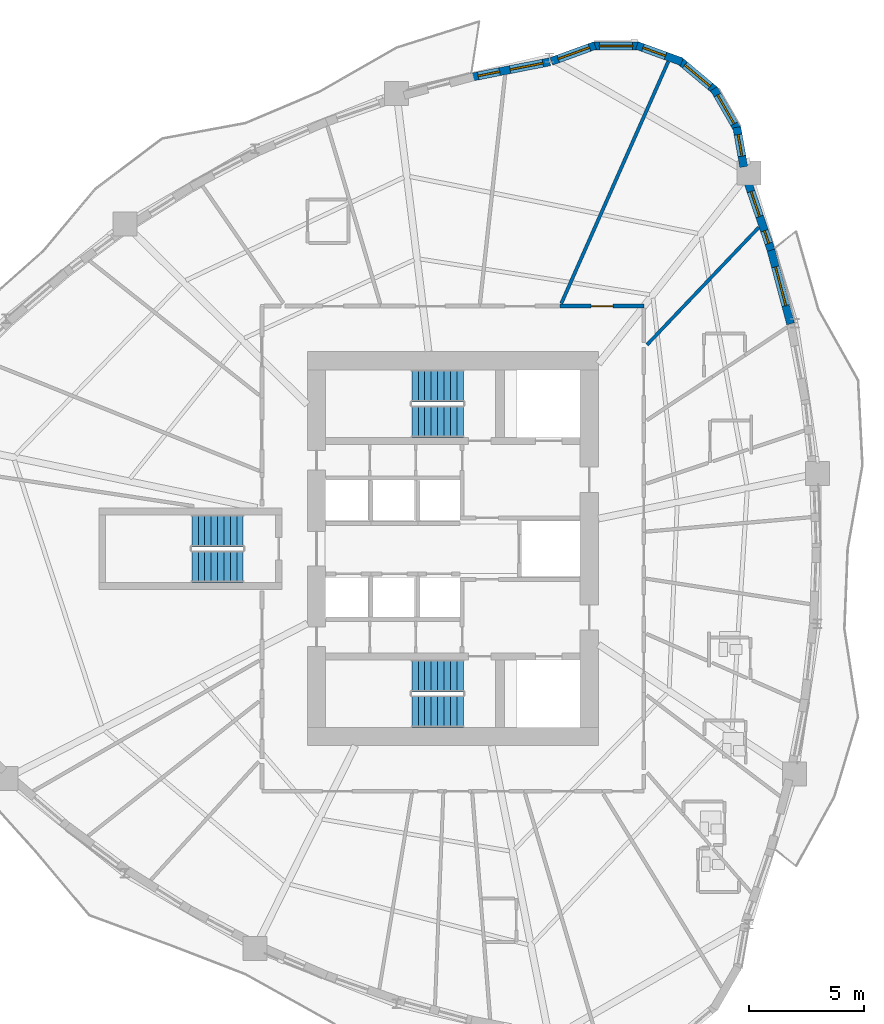
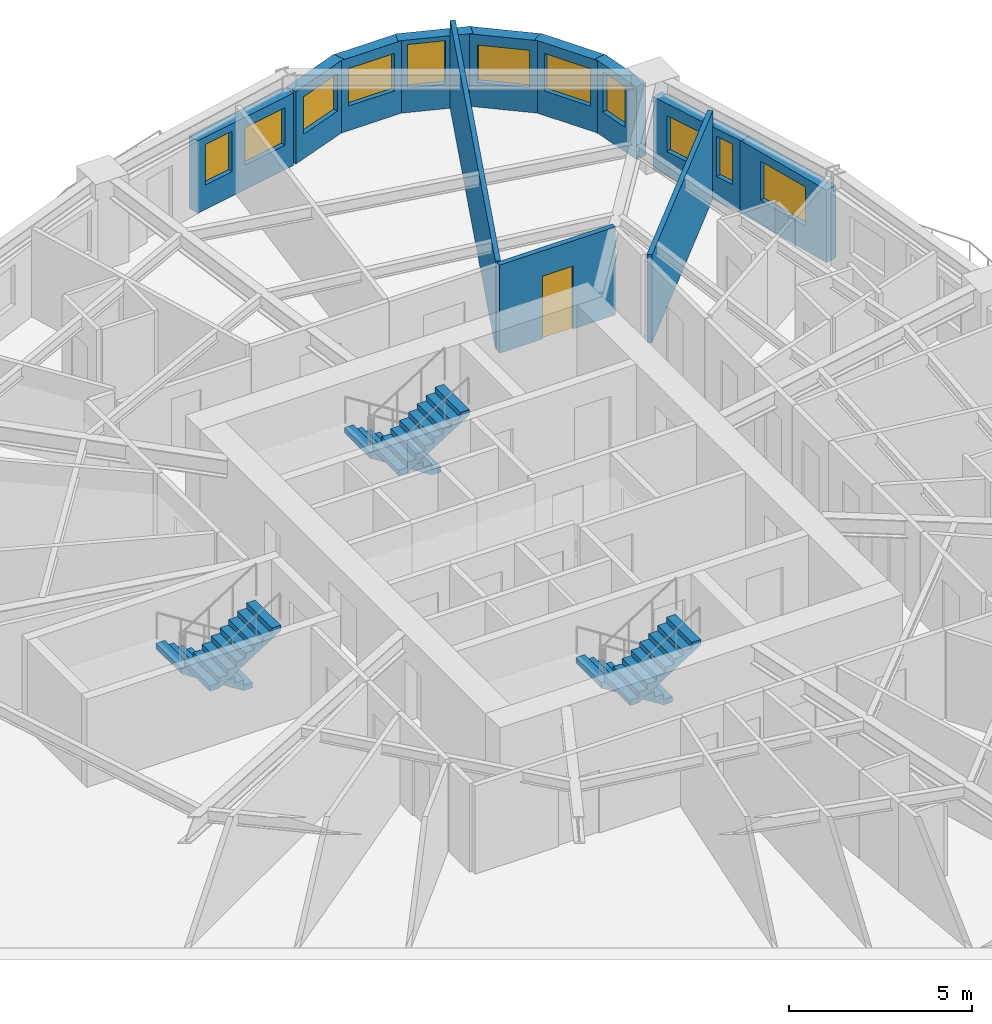
# One storey, part 9 of 13: 12 walls, 11 windows, 6 stair flights, 1 door, 12 openings, 3 elements without a shape of their own.
"""IFC4 building model written with IfcOpenShell, lengths in metres."""

from ifc_helpers import new_model, si_unit, direction, frame, frame_2d, origin, place, context, subcontext, project, spatial, polyline, rectangle, outline, extrude, source, transform, mapped, material, layer, layer_set, type_object, element, fill, aggregate, save


model = new_model("IFC4")

# Units and contexts
model_context = context("Model", 3, precision=1e-05, world=origin(), true_north=direction((0.0, 1.0)))
body_context = subcontext(model_context, "Body", "Model", "MODEL_VIEW")
ifc_project = project(units=[si_unit("LENGTHUNIT", "METRE"), si_unit("AREAUNIT", "SQUARE_METRE"), si_unit("VOLUMEUNIT", "CUBIC_METRE"), si_unit("PLANEANGLEUNIT", "RADIAN"), si_unit("MASSUNIT", "GRAM", prefix="KILO")], contexts=[model_context])

# Site, building, storey
site_placement = place(None, origin())
site = spatial("IfcSite", under=ifc_project, at=site_placement, CompositionType="ELEMENT")
building_placement = place(site_placement, origin())
building = spatial("IfcBuilding", under=site, at=building_placement, Name="Qafzar Sky-Pleat Residences", CompositionType="ELEMENT")
storey_placement = place(building_placement, frame((0.0, 0.0, 59.0)))
storey = spatial("IfcBuildingStorey", under=building, at=storey_placement, Name="L17", CompositionType="ELEMENT", Elevation=59.0)

# Wall, opening, door
ifc_material_1 = material(Name="Acoustic gypsum plasterboard partition", Category="gypsum")
ifc_layer_1 = layer(ifc_material_1, 0.159912109375)
ifc_layer_set_1 = layer_set([ifc_layer_1], Name="Acoustic gypsum plasterboard partition")
wall_type_1 = type_object("IfcWallType", Name="PART-COR-160", PredefinedType="PARTITIONING", material=ifc_layer_set_1)
wall_1_placement = place(storey_placement, frame((35.010986328125, 36.580078125, 0.0), z_axis=(0.0, 0.0, 1.0), x_axis=(1.0, 0.0, 0.0)))
wall_1 = element("IfcWall", 1, at=wall_1_placement, inside=storey, type_object=wall_type_1, Name="L17 Partition Wall PART-L17-PW-005", PredefinedType="PARTITIONING", context=body_context, shape_type="SweptSolid", body=[
    extrude(rectangle(XDim=3.6689453125, YDim=0.159912109375, at=frame_2d((1.83447265625, 0.0))), origin(), (0.0, 0.0, 1.0), 2.93994140625),
])
opening_1_placement = place(wall_1_placement, frame((1.362548828125, 0.0, 0.0)))
opening_1 = element("IfcOpeningElement", 2, at=opening_1_placement, cuts=wall_1, Name="Opening ID-06", PredefinedType="OPENING", context=body_context, shape_type="SweptSolid", body=[
    extrude(rectangle(XDim=0.9599609375, YDim=2.10009765625, at=frame_2d((0.47998046875, 1.050048828125))), frame((0.0, 0.08984375, 0.0), z_axis=(0.0, -1.0, 0.0), x_axis=(1.0, 0.0, 0.0)), (0.0, 0.0, 1.0), 0.179931640625),
])
ifc_material_2 = material(Name="Timber-faced fire door", Category="wood")
door_type = type_object("IfcDoorType", Name="DR-STD-960", OperationType="NOTDEFINED", PredefinedType="DOOR", material=ifc_material_2)
shared_shape_1 = source(origin(), body_context, "Body", "SweptSolid", [
    extrude(rectangle(XDim=0.9599609375, YDim=2.10009765625, at=frame_2d((0.47998046875, 1.050048828125))), frame((0.0, 0.02490234375, 0.0), z_axis=(0.0, -1.0, 0.0), x_axis=(1.0, 0.0, 0.0)), (0.0, 0.0, 1.0), 0.050048828125),
])
door_placement = place(opening_1_placement, origin())
door = element("IfcDoor", 3, at=door_placement, inside=storey, type_object=door_type, Name="L17 Scholar Co-Working Workspace Door", OperationType="SINGLE_SWING_RIGHT", OverallHeight=2.10009765625, OverallWidth=0.9599609375, PredefinedType="DOOR", context=body_context, shape_type="MappedRepresentation", body=[
    mapped(shared_shape_1, transform((0.0, 0.0, 0.0), x_axis=(1.0, 0.0, 0.0), y_axis=(0.0, 1.0, 0.0), z_axis=(0.0, 0.0, 1.0), scale=1.0)),
])
fill(opening_1, door)

# Walls
ifc_layer_2 = layer(ifc_material_1, 0.14501953125)
ifc_layer_set_2 = layer_set([ifc_layer_2], Name="Acoustic gypsum plasterboard partition")
wall_type_2 = type_object("IfcWallType", Name="PART-UNIT-145", PredefinedType="PARTITIONING", material=ifc_layer_set_2)
wall_2_placement = place(storey_placement, frame((35.07861328125, 36.696533203125, 0.0), z_axis=(0.0, 0.0, 1.0), x_axis=(0.404349483928, 0.914604556542, 0.0)))
element("IfcWall", 4, at=wall_2_placement, inside=storey, type_object=wall_type_2, Name="L17 Partition Wall PART-L17-PW-034", PredefinedType="PARTITIONING", context=body_context, shape_type="SweptSolid", body=[
    extrude(rectangle(XDim=11.540283203125, YDim=0.14501953125, at=frame_2d((5.77001953125, 0.0))), origin(), (0.0, 0.0, 1.0), 2.93994140625),
])
wall_3_placement = place(storey_placement, frame((38.818115234375, 34.892822265625, 0.0), z_axis=(0.0, 0.0, 1.0), x_axis=(0.68961378572, 0.724177344678, 0.0)))
element("IfcWall", 5, at=wall_3_placement, inside=storey, type_object=wall_type_2, Name="L17 Partition Wall PART-L17-PW-046", PredefinedType="PARTITIONING", context=body_context, shape_type="SweptSolid", body=[
    extrude(rectangle(XDim=7.070556640625, YDim=0.14501953125, at=frame_2d((3.53515625, 0.0))), origin(), (0.0, 0.0, 1.0), 2.93994140625),
])

# Wall, opening, window
ifc_material_3 = material(Name="Precast concrete C40/50 with honed Riyadh limestone", Category="concrete")
ifc_layer_3 = layer(ifc_material_3, 0.35009765625)
ifc_layer_set_3 = layer_set([ifc_layer_3], Name="Precast concrete C40/50 with honed Riyadh limestone")
wall_type_3 = type_object("IfcWallType", Name="WALL-EXT-350", PredefinedType="SOLIDWALL", material=ifc_layer_set_3)
wall_4_placement = place(storey_placement, frame((45.081298828125, 35.80810546875, 0.0), z_axis=(0.0, 0.0, 1.0), x_axis=(-0.257114470429, 0.966380954436, 0.0)))
wall_4 = element("IfcWall", 6, at=wall_4_placement, inside=storey, type_object=wall_type_3, Name="L17 Limestone Facade Wall 31", PredefinedType="SOLIDWALL", context=body_context, shape_type="SweptSolid", body=[
    extrude(rectangle(XDim=3.409912109375, YDim=0.35009765625, at=frame_2d((1.705078125, 0.0))), origin(), (0.0, 0.0, 1.0), 2.419921875),
])
opening_2_placement = place(wall_4_placement, frame((0.820068359375, 0.0, 0.820068359375)))
opening_2 = element("IfcOpeningElement", 7, at=opening_2_placement, cuts=wall_4, Name="Opening WN-14", PredefinedType="OPENING", context=body_context, shape_type="SweptSolid", body=[
    extrude(rectangle(XDim=1.75, YDim=1.300048828125, at=frame_2d((0.875, 0.64990234375))), frame((0.0, 0.18505859375, 0.0), z_axis=(0.0, -1.0, 0.0), x_axis=(1.0, 0.0, 0.0)), (0.0, 0.0, 1.0), 0.3701171875),
])
ifc_material_4 = material(Name="Solar-control low-E glass in bronze aluminium frame", Category="glass")
window_type_1 = type_object("IfcWindowType", Name="WIN-14", PartitioningType="DOUBLE_PANEL_VERTICAL", PredefinedType="WINDOW", material=ifc_material_4)
shared_shape_2 = source(origin(), body_context, "Body", "SweptSolid", [
    extrude(rectangle(XDim=1.75, YDim=1.300048828125, at=frame_2d((0.875, 0.64990234375))), frame((0.0, 0.030029296875, 0.0), z_axis=(0.0, -1.0, 0.0), x_axis=(1.0, 0.0, 0.0)), (0.0, 0.0, 1.0), 0.06005859375),
])
window_1_placement = place(opening_2_placement, origin())
window_1 = element("IfcWindow", 8, at=window_1_placement, inside=storey, type_object=window_type_1, Name="L17 Punched Facade Window 31", OverallHeight=1.300048828125, OverallWidth=1.75, PartitioningType="SINGLE_PANEL", PredefinedType="WINDOW", context=body_context, shape_type="MappedRepresentation", body=[
    mapped(shared_shape_2, transform((0.0, 0.0, 0.0), x_axis=(1.0, 0.0, 0.0), y_axis=(0.0, 1.0, 0.0), z_axis=(0.0, 0.0, 1.0), scale=1.0)),
])
fill(opening_2, window_1)

# Wall, openings, windows
wall_5_placement = place(storey_placement, frame((44.230224609375, 39.01904296875, 0.0), z_axis=(0.0, 0.0, 1.0), x_axis=(-0.323560153501, 0.94620760252, 0.0)))
wall_5 = element("IfcWall", 9, at=wall_5_placement, inside=storey, type_object=wall_type_3, Name="L17 Limestone Facade Wall 32", PredefinedType="SOLIDWALL", context=body_context, shape_type="SweptSolid", body=[
    extrude(rectangle(XDim=3.202392578125, YDim=0.35009765625, at=frame_2d((1.60107421875, 0.0))), origin(), (0.0, 0.0, 1.0), 2.419921875),
])
opening_3_placement = place(wall_5_placement, frame((0.3125, 0.0, 0.820068359375)))
opening_3 = element("IfcOpeningElement", 10, at=opening_3_placement, cuts=wall_5, Name="Opening WN-17", PredefinedType="OPENING", context=body_context, shape_type="SweptSolid", body=[
    extrude(rectangle(XDim=0.580078125, YDim=1.35009765625, at=frame_2d((0.2900390625, 0.675048828125))), frame((0.0, 0.18505859375, 0.0), z_axis=(0.0, -1.0, 0.0), x_axis=(1.0, 0.0, 0.0)), (0.0, 0.0, 1.0), 0.3701171875),
])
opening_4_placement = place(wall_5_placement, frame((1.5537109375, 0.0, 0.820068359375)))
opening_4 = element("IfcOpeningElement", 11, at=opening_4_placement, cuts=wall_5, Name="Opening WN-16", PredefinedType="OPENING", context=body_context, shape_type="SweptSolid", body=[
    extrude(rectangle(XDim=1.14990234375, YDim=1.199951171875, at=frame_2d((0.574951171875, 0.60009765625))), frame((0.0, 0.18505859375, 0.0), z_axis=(0.0, -1.0, 0.0), x_axis=(1.0, 0.0, 0.0)), (0.0, 0.0, 1.0), 0.3701171875),
])
window_type_2 = type_object("IfcWindowType", Name="WIN-17", PartitioningType="SINGLE_PANEL", PredefinedType="WINDOW", material=ifc_material_4)
shared_shape_3 = source(origin(), body_context, "Body", "SweptSolid", [
    extrude(rectangle(XDim=0.580078125, YDim=1.35009765625, at=frame_2d((0.2900390625, 0.675048828125))), frame((0.0, 0.030029296875, 0.0), z_axis=(0.0, -1.0, 0.0), x_axis=(1.0, 0.0, 0.0)), (0.0, 0.0, 1.0), 0.06005859375),
])
window_2_placement = place(opening_3_placement, origin())
window_2 = element("IfcWindow", 12, at=window_2_placement, inside=storey, type_object=window_type_2, Name="L17 Punched Facade Window 32", OverallHeight=1.35009765625, OverallWidth=0.580078125, PartitioningType="SINGLE_PANEL", PredefinedType="WINDOW", context=body_context, shape_type="MappedRepresentation", body=[
    mapped(shared_shape_3, transform((0.0, 0.0, 0.0), x_axis=(1.0, 0.0, 0.0), y_axis=(0.0, 1.0, 0.0), z_axis=(0.0, 0.0, 1.0), scale=1.0)),
])
fill(opening_3, window_2)
window_type_3 = type_object("IfcWindowType", Name="WIN-16", PartitioningType="SINGLE_PANEL", PredefinedType="WINDOW", material=ifc_material_4)
shared_shape_4 = source(origin(), body_context, "Body", "SweptSolid", [
    extrude(rectangle(XDim=1.14990234375, YDim=1.199951171875, at=frame_2d((0.574951171875, 0.60009765625))), frame((0.0, 0.030029296875, 0.0), z_axis=(0.0, -1.0, 0.0), x_axis=(1.0, 0.0, 0.0)), (0.0, 0.0, 1.0), 0.06005859375),
])
window_3_placement = place(opening_4_placement, origin())
window_3 = element("IfcWindow", 13, at=window_3_placement, inside=storey, type_object=window_type_3, Name="L17 Punched Facade Window 32-2", OverallHeight=1.199951171875, OverallWidth=1.14990234375, PartitioningType="SINGLE_PANEL", PredefinedType="WINDOW", context=body_context, shape_type="MappedRepresentation", body=[
    mapped(shared_shape_4, transform((0.0, 0.0, 0.0), x_axis=(1.0, 0.0, 0.0), y_axis=(0.0, 1.0, 0.0), z_axis=(0.0, 0.0, 1.0), scale=1.0)),
])
fill(opening_4, window_3)

# Wall, opening, window
wall_6_placement = place(storey_placement, frame((43.0380859375, 42.654541015625, 0.0), z_axis=(0.0, 0.0, 1.0), x_axis=(-0.173610462023, 0.984814402553, 0.0)))
wall_6 = element("IfcWall", 14, at=wall_6_placement, inside=storey, type_object=wall_type_3, Name="L17 Limestone Facade Wall 33", PredefinedType="SOLIDWALL", context=body_context, shape_type="SweptSolid", body=[
    extrude(rectangle(XDim=1.752197265625, YDim=0.35009765625, at=frame_2d((0.8759765625, 0.0))), origin(), (0.0, 0.0, 1.0), 2.419921875),
])
opening_5_placement = place(wall_6_placement, frame((0.476318359375, 0.0, 0.820068359375)))
opening_5 = element("IfcOpeningElement", 15, at=opening_5_placement, cuts=wall_6, Name="Opening WN-12", PredefinedType="OPENING", context=body_context, shape_type="SweptSolid", body=[
    extrude(rectangle(XDim=0.949951171875, YDim=1.35009765625, at=frame_2d((0.47509765625, 0.675048828125))), frame((0.0, 0.18505859375, 0.0), z_axis=(0.0, -1.0, 0.0), x_axis=(1.0, 0.0, 0.0)), (0.0, 0.0, 1.0), 0.3701171875),
])
window_type_4 = type_object("IfcWindowType", Name="WIN-12", PartitioningType="SINGLE_PANEL", PredefinedType="WINDOW", material=ifc_material_4)
shared_shape_5 = source(origin(), body_context, "Body", "SweptSolid", [
    extrude(rectangle(XDim=0.949951171875, YDim=1.35009765625, at=frame_2d((0.47509765625, 0.675048828125))), frame((0.0, 0.030029296875, 0.0), z_axis=(0.0, -1.0, 0.0), x_axis=(1.0, 0.0, 0.0)), (0.0, 0.0, 1.0), 0.06005859375),
])
window_4_placement = place(opening_5_placement, origin())
window_4 = element("IfcWindow", 16, at=window_4_placement, inside=storey, type_object=window_type_4, Name="L17 Punched Facade Window 33", OverallHeight=1.35009765625, OverallWidth=0.949951171875, PartitioningType="SINGLE_PANEL", PredefinedType="WINDOW", context=body_context, shape_type="MappedRepresentation", body=[
    mapped(shared_shape_5, transform((0.0, 0.0, 0.0), x_axis=(1.0, 0.0, 0.0), y_axis=(0.0, 1.0, 0.0), z_axis=(0.0, 0.0, 1.0), scale=1.0)),
])
fill(opening_5, window_4)

wall_7_placement = place(storey_placement, frame((42.780029296875, 44.252685546875, 0.0), z_axis=(0.0, 0.0, 1.0), x_axis=(-0.49990781971, 0.866078617559, 0.0)))
wall_7 = element("IfcWall", 17, at=wall_7_placement, inside=storey, type_object=wall_type_3, Name="L17 Limestone Facade Wall 34", PredefinedType="SOLIDWALL", context=body_context, shape_type="SweptSolid", body=[
    extrude(rectangle(XDim=2.09033203125, YDim=0.35009765625, at=frame_2d((1.045166015625, 0.0))), origin(), (0.0, 0.0, 1.0), 2.419921875),
])
opening_6_placement = place(wall_7_placement, frame((0.3203125, 0.0, 0.820068359375)))
opening_6 = element("IfcOpeningElement", 18, at=opening_6_placement, cuts=wall_7, Name="Opening WN-15", PredefinedType="OPENING", context=body_context, shape_type="SweptSolid", body=[
    extrude(rectangle(XDim=1.449951171875, YDim=1.25, at=frame_2d((0.72509765625, 0.625))), frame((0.0, 0.18505859375, 0.0), z_axis=(0.0, -1.0, 0.0), x_axis=(1.0, 0.0, 0.0)), (0.0, 0.0, 1.0), 0.3701171875),
])
window_type_5 = type_object("IfcWindowType", Name="WIN-15", PartitioningType="SINGLE_PANEL", PredefinedType="WINDOW", material=ifc_material_4)
shared_shape_6 = source(origin(), body_context, "Body", "SweptSolid", [
    extrude(rectangle(XDim=1.449951171875, YDim=1.25, at=frame_2d((0.72509765625, 0.625))), frame((0.0, 0.030029296875, 0.0), z_axis=(0.0, -1.0, 0.0), x_axis=(1.0, 0.0, 0.0)), (0.0, 0.0, 1.0), 0.06005859375),
])
window_5_placement = place(opening_6_placement, origin())
window_5 = element("IfcWindow", 19, at=window_5_placement, inside=storey, type_object=window_type_5, Name="L17 Punched Facade Window 34", OverallHeight=1.25, OverallWidth=1.449951171875, PartitioningType="SINGLE_PANEL", PredefinedType="WINDOW", context=body_context, shape_type="MappedRepresentation", body=[
    mapped(shared_shape_6, transform((0.0, 0.0, 0.0), x_axis=(1.0, 0.0, 0.0), y_axis=(0.0, 1.0, 0.0), z_axis=(0.0, 0.0, 1.0), scale=1.0)),
])
fill(opening_6, window_5)

wall_8_placement = place(storey_placement, frame((41.822265625, 45.959228515625, 0.0), z_axis=(0.0, 0.0, 1.0), x_axis=(-0.766024572719, 0.642811289563, 0.0)))
wall_8 = element("IfcWall", 20, at=wall_8_placement, inside=storey, type_object=wall_type_3, Name="L17 Limestone Facade Wall 35", PredefinedType="SOLIDWALL", context=body_context, shape_type="SweptSolid", body=[
    extrude(rectangle(XDim=2.09033203125, YDim=0.35009765625, at=frame_2d((1.045166015625, 0.0))), origin(), (0.0, 0.0, 1.0), 2.419921875),
])
opening_7_placement = place(wall_8_placement, frame((0.3203125, 0.0, 0.820068359375)))
opening_7 = element("IfcOpeningElement", 21, at=opening_7_placement, cuts=wall_8, Name="Opening WN-15", PredefinedType="OPENING", context=body_context, shape_type="SweptSolid", body=[
    extrude(rectangle(XDim=1.449951171875, YDim=1.25, at=frame_2d((0.72509765625, 0.625))), frame((0.0, 0.18505859375, 0.0), z_axis=(0.0, -1.0, 0.0), x_axis=(1.0, 0.0, 0.0)), (0.0, 0.0, 1.0), 0.3701171875),
])
window_6_placement = place(opening_7_placement, origin())
window_6 = element("IfcWindow", 22, at=window_6_placement, inside=storey, type_object=window_type_5, Name="L17 Punched Facade Window 35", OverallHeight=1.25, OverallWidth=1.449951171875, PartitioningType="SINGLE_PANEL", PredefinedType="WINDOW", context=body_context, shape_type="MappedRepresentation", body=[
    mapped(shared_shape_6, transform((0.0, 0.0, 0.0), x_axis=(1.0, 0.0, 0.0), y_axis=(0.0, 1.0, 0.0), z_axis=(0.0, 0.0, 1.0), scale=1.0)),
])
fill(opening_7, window_6)

wall_9_placement = place(storey_placement, frame((40.33837890625, 47.235107421875, 0.0), z_axis=(0.0, 0.0, 1.0), x_axis=(-0.939711556618, 0.341968113072, 0.0)))
wall_9 = element("IfcWall", 23, at=wall_9_placement, inside=storey, type_object=wall_type_3, Name="L17 Limestone Facade Wall 36", PredefinedType="SOLIDWALL", context=body_context, shape_type="SweptSolid", body=[
    extrude(rectangle(XDim=2.09033203125, YDim=0.35009765625, at=frame_2d((1.045166015625, 0.0))), origin(), (0.0, 0.0, 1.0), 2.419921875),
])
opening_8_placement = place(wall_9_placement, frame((0.760986328125, 0.0, 0.820068359375)))
opening_8 = element("IfcOpeningElement", 24, at=opening_8_placement, cuts=wall_9, Name="Opening WN-06", PredefinedType="OPENING", context=body_context, shape_type="SweptSolid", body=[
    extrude(rectangle(XDim=1.050048828125, YDim=1.449951171875, at=frame_2d((0.52490234375, 0.72509765625))), frame((0.0, 0.18505859375, 0.0), z_axis=(0.0, -1.0, 0.0), x_axis=(1.0, 0.0, 0.0)), (0.0, 0.0, 1.0), 0.3701171875),
])
window_type_6 = type_object("IfcWindowType", Name="WIN-06", PartitioningType="SINGLE_PANEL", PredefinedType="WINDOW", material=ifc_material_4)
shared_shape_7 = source(origin(), body_context, "Body", "SweptSolid", [
    extrude(rectangle(XDim=1.050048828125, YDim=1.449951171875, at=frame_2d((0.52490234375, 0.72509765625))), frame((0.0, 0.030029296875, 0.0), z_axis=(0.0, -1.0, 0.0), x_axis=(1.0, 0.0, 0.0)), (0.0, 0.0, 1.0), 0.06005859375),
])
window_7_placement = place(opening_8_placement, origin())
window_7 = element("IfcWindow", 25, at=window_7_placement, inside=storey, type_object=window_type_6, Name="L17 Punched Facade Window 36-2", OverallHeight=1.449951171875, OverallWidth=1.050048828125, PartitioningType="SINGLE_PANEL", PredefinedType="WINDOW", context=body_context, shape_type="MappedRepresentation", body=[
    mapped(shared_shape_7, transform((0.0, 0.0, 0.0), x_axis=(1.0, 0.0, 0.0), y_axis=(0.0, 1.0, 0.0), z_axis=(0.0, 0.0, 1.0), scale=1.0)),
])
fill(opening_8, window_7)

wall_10_placement = place(storey_placement, frame((38.5078125, 47.926513671875, 0.0), z_axis=(0.0, 0.0, 1.0), x_axis=(-1.0, 0.0, 0.0)))
wall_10 = element("IfcWall", 26, at=wall_10_placement, inside=storey, type_object=wall_type_3, Name="L17 Limestone Facade Wall 37", PredefinedType="SOLIDWALL", context=body_context, shape_type="SweptSolid", body=[
    extrude(rectangle(XDim=2.090576171875, YDim=0.35009765625, at=frame_2d((1.04541015625, 0.0))), origin(), (0.0, 0.0, 1.0), 2.419921875),
])
opening_9_placement = place(wall_10_placement, frame((0.3203125, 0.0, 0.820068359375)))
opening_9 = element("IfcOpeningElement", 27, at=opening_9_placement, cuts=wall_10, Name="Opening WN-15", PredefinedType="OPENING", context=body_context, shape_type="SweptSolid", body=[
    extrude(rectangle(XDim=1.449951171875, YDim=1.25, at=frame_2d((0.72509765625, 0.625))), frame((0.0, 0.18505859375, 0.0), z_axis=(0.0, -1.0, 0.0), x_axis=(1.0, 0.0, 0.0)), (0.0, 0.0, 1.0), 0.3701171875),
])
window_8_placement = place(opening_9_placement, origin())
window_8 = element("IfcWindow", 28, at=window_8_placement, inside=storey, type_object=window_type_5, Name="L17 Punched Facade Window 37", OverallHeight=1.25, OverallWidth=1.449951171875, PartitioningType="SINGLE_PANEL", PredefinedType="WINDOW", context=body_context, shape_type="MappedRepresentation", body=[
    mapped(shared_shape_6, transform((0.0, 0.0, 0.0), x_axis=(1.0, 0.0, 0.0), y_axis=(0.0, 1.0, 0.0), z_axis=(0.0, 0.0, 1.0), scale=1.0)),
])
fill(opening_9, window_8)

wall_11_placement = place(storey_placement, frame((36.55078125, 47.949951171875, 0.0), z_axis=(0.0, 0.0, 1.0), x_axis=(-0.939691662178, -0.342022777067, 0.0)))
wall_11 = element("IfcWall", 29, at=wall_11_placement, inside=storey, type_object=wall_type_3, Name="L17 Limestone Facade Wall 38", PredefinedType="SOLIDWALL", context=body_context, shape_type="SweptSolid", body=[
    extrude(rectangle(XDim=2.0322265625, YDim=0.35009765625, at=frame_2d((1.01611328125, 0.0))), origin(), (0.0, 0.0, 1.0), 2.419921875),
])
opening_10_placement = place(wall_11_placement, frame((0.260986328125, 0.0, 0.820068359375)))
opening_10 = element("IfcOpeningElement", 30, at=opening_10_placement, cuts=wall_11, Name="Opening WN-15", PredefinedType="OPENING", context=body_context, shape_type="SweptSolid", body=[
    extrude(rectangle(XDim=1.449951171875, YDim=1.25, at=frame_2d((0.72509765625, 0.625))), frame((0.0, 0.18505859375, 0.0), z_axis=(0.0, -1.0, 0.0), x_axis=(1.0, 0.0, 0.0)), (0.0, 0.0, 1.0), 0.3701171875),
])
window_9_placement = place(opening_10_placement, origin())
window_9 = element("IfcWindow", 31, at=window_9_placement, inside=storey, type_object=window_type_5, Name="L17 Punched Facade Window 38", OverallHeight=1.25, OverallWidth=1.449951171875, PartitioningType="SINGLE_PANEL", PredefinedType="WINDOW", context=body_context, shape_type="MappedRepresentation", body=[
    mapped(shared_shape_6, transform((0.0, 0.0, 0.0), x_axis=(1.0, 0.0, 0.0), y_axis=(0.0, 1.0, 0.0), z_axis=(0.0, 0.0, 1.0), scale=1.0)),
])
fill(opening_10, window_9)

# Wall, openings, windows
wall_12_placement = place(storey_placement, frame((34.57666015625, 47.23681640625, 0.0), z_axis=(0.0, 0.0, 1.0), x_axis=(-0.981238400755, -0.192798342532, 0.0)))
wall_12 = element("IfcWall", 32, at=wall_12_placement, inside=storey, type_object=wall_type_3, Name="L17 Limestone Facade Wall 39", PredefinedType="SOLIDWALL", context=body_context, shape_type="SweptSolid", body=[
    extrude(rectangle(XDim=3.482421875, YDim=0.35009765625, at=frame_2d((1.7412109375, 0.0))), origin(), (0.0, 0.0, 1.0), 2.419921875),
])
opening_11_placement = place(wall_12_placement, frame((0.31298828125, 0.0, 0.820068359375)))
opening_11 = element("IfcOpeningElement", 33, at=opening_11_placement, cuts=wall_12, Name="Opening WN-15", PredefinedType="OPENING", context=body_context, shape_type="SweptSolid", body=[
    extrude(rectangle(XDim=1.449951171875, YDim=1.25, at=frame_2d((0.72509765625, 0.625))), frame((0.0, 0.18505859375, 0.0), z_axis=(0.0, -1.0, 0.0), x_axis=(1.0, 0.0, 0.0)), (0.0, 0.0, 1.0), 0.3701171875),
])
opening_12_placement = place(wall_12_placement, frame((2.234375, 0.0, 0.820068359375)))
opening_12 = element("IfcOpeningElement", 34, at=opening_12_placement, cuts=wall_12, Name="Opening WN-12", PredefinedType="OPENING", context=body_context, shape_type="SweptSolid", body=[
    extrude(rectangle(XDim=0.949951171875, YDim=1.35009765625, at=frame_2d((0.47509765625, 0.675048828125))), frame((0.0, 0.18505859375, 0.0), z_axis=(0.0, -1.0, 0.0), x_axis=(1.0, 0.0, 0.0)), (0.0, 0.0, 1.0), 0.3701171875),
])
window_10_placement = place(opening_12_placement, origin())
window_10 = element("IfcWindow", 35, at=window_10_placement, inside=storey, type_object=window_type_4, Name="L17 Punched Facade Window 39-2", OverallHeight=1.35009765625, OverallWidth=0.949951171875, PartitioningType="SINGLE_PANEL", PredefinedType="WINDOW", context=body_context, shape_type="MappedRepresentation", body=[
    mapped(shared_shape_5, transform((0.0, 0.0, 0.0), x_axis=(1.0, 0.0, 0.0), y_axis=(0.0, 1.0, 0.0), z_axis=(0.0, 0.0, 1.0), scale=1.0)),
])
fill(opening_12, window_10)
window_11_placement = place(opening_11_placement, origin())
window_11 = element("IfcWindow", 36, at=window_11_placement, inside=storey, type_object=window_type_5, Name="L17 Punched Facade Window 39", OverallHeight=1.25, OverallWidth=1.449951171875, PartitioningType="SINGLE_PANEL", PredefinedType="WINDOW", context=body_context, shape_type="MappedRepresentation", body=[
    mapped(shared_shape_6, transform((0.0, 0.0, 0.0), x_axis=(1.0, 0.0, 0.0), y_axis=(0.0, 1.0, 0.0), z_axis=(0.0, 0.0, 1.0), scale=1.0)),
])
fill(opening_11, window_11)

# Stair, stair flights
ifc_material_5 = material(Name="Concrete C40/50", Category="concrete")
stair_type = type_object("IfcStairType", Name="STAIR-H320", PredefinedType="HALF_TURN_STAIR", material=ifc_material_5)
stair_1_placement = place(storey_placement, origin())
stair_1 = element("IfcStair", 37, at=stair_1_placement, inside=storey, type_object=stair_type, Name="L17 Protected Exit Stair ST1", PredefinedType="HALF_TURN_STAIR")
stair_flight_type = type_object("IfcStairFlightType", Name="FLIGHT-H320", PredefinedType="STRAIGHT", material=ifc_material_5)
shared_shape_8 = source(origin(), body_context, "Body", "SweptSolid", [
    extrude(outline(polyline([(0.0, 0.0), (0.0, 0.177734375), (0.280029296875, 0.177734375), (0.280029296875, 0.35546875), (0.56005859375, 0.35546875), (0.56005859375, 0.533447265625), (0.840087890625, 0.533447265625), (0.840087890625, 0.711181640625), (1.1201171875, 0.711181640625), (1.1201171875, 0.888916015625), (1.39990234375, 0.888916015625), (1.39990234375, 1.066650390625), (1.679931640625, 1.066650390625), (1.679931640625, 1.244384765625), (1.9599609375, 1.244384765625), (1.9599609375, 1.422119140625), (2.239990234375, 1.422119140625), (2.239990234375, 1.60009765625), (2.239990234375, 1.24462890625), (0.27978515625, 0.0), (0.0, 0.0)])), frame((0.0, 0.699951171875, 0.0), z_axis=(0.0, -1.0, 0.0), x_axis=(1.0, 0.0, 0.0)), (0.0, 0.0, 1.0), 1.39990234375),
])
stair_flight_1_placement = place(storey_placement, frame((30.800048828125, 20.449951171875, 0.0), z_axis=(0.0, 0.0, 1.0), x_axis=(-1.0, 0.0, 0.0)))
stair_flight_1 = element("IfcStairFlight", 38, at=stair_flight_1_placement, type_object=stair_flight_type, Name="ST1 flight 1", NumberOfRisers=9, NumberOfTreads=8, PredefinedType="STRAIGHT", RiserHeight=0.177777778, TreadLength=0.28, context=body_context, shape_type="MappedRepresentation", body=[
    mapped(shared_shape_8, transform((0.0, 0.0, 0.0), x_axis=(1.0, 0.0, 0.0), y_axis=(0.0, 1.0, 0.0), z_axis=(0.0, 0.0, 1.0), scale=1.0)),
])
stair_flight_2_placement = place(storey_placement, frame((28.56005859375, 18.89990234375, 1.60009765625), z_axis=(0.0, 0.0, 1.0), x_axis=(1.0, 0.0, 0.0)))
stair_flight_2 = element("IfcStairFlight", 39, at=stair_flight_2_placement, type_object=stair_flight_type, Name="ST1 flight 2", NumberOfRisers=9, NumberOfTreads=8, PredefinedType="STRAIGHT", RiserHeight=0.177777778, TreadLength=0.28, context=body_context, shape_type="MappedRepresentation", body=[
    mapped(shared_shape_8, transform((0.0, 0.0, 0.0), x_axis=(1.0, 0.0, 0.0), y_axis=(0.0, 1.0, 0.0), z_axis=(0.0, 0.0, 1.0), scale=1.0)),
])
aggregate(stair_1, [stair_flight_1, stair_flight_2])

stair_2_placement = place(storey_placement, origin())
stair_2 = element("IfcStair", 40, at=stair_2_placement, inside=storey, type_object=stair_type, Name="L17 Protected Exit Stair ST2", PredefinedType="HALF_TURN_STAIR")
stair_flight_3_placement = place(storey_placement, frame((30.800048828125, 33.10009765625, 0.0), z_axis=(0.0, 0.0, 1.0), x_axis=(-1.0, 0.0, 0.0)))
stair_flight_3 = element("IfcStairFlight", 41, at=stair_flight_3_placement, type_object=stair_flight_type, Name="ST2 flight 1", NumberOfRisers=9, NumberOfTreads=8, PredefinedType="STRAIGHT", RiserHeight=0.177777778, TreadLength=0.28, context=body_context, shape_type="MappedRepresentation", body=[
    mapped(shared_shape_8, transform((0.0, 0.0, 0.0), x_axis=(1.0, 0.0, 0.0), y_axis=(0.0, 1.0, 0.0), z_axis=(0.0, 0.0, 1.0), scale=1.0)),
])
stair_flight_4_placement = place(storey_placement, frame((28.56005859375, 31.550048828125, 1.60009765625), z_axis=(0.0, 0.0, 1.0), x_axis=(1.0, 0.0, 0.0)))
stair_flight_4 = element("IfcStairFlight", 42, at=stair_flight_4_placement, type_object=stair_flight_type, Name="ST2 flight 2", NumberOfRisers=9, NumberOfTreads=8, PredefinedType="STRAIGHT", RiserHeight=0.177777778, TreadLength=0.28, context=body_context, shape_type="MappedRepresentation", body=[
    mapped(shared_shape_8, transform((0.0, 0.0, 0.0), x_axis=(1.0, 0.0, 0.0), y_axis=(0.0, 1.0, 0.0), z_axis=(0.0, 0.0, 1.0), scale=1.0)),
])
aggregate(stair_2, [stair_flight_3, stair_flight_4])

stair_3_placement = place(storey_placement, origin())
stair_3 = element("IfcStair", 43, at=stair_3_placement, inside=storey, type_object=stair_type, Name="L17 Protected Exit Stair ST3", PredefinedType="HALF_TURN_STAIR")
stair_flight_5_placement = place(storey_placement, frame((21.199951171875, 26.77490234375, 0.0), z_axis=(0.0, 0.0, 1.0), x_axis=(-1.0, 0.0, 0.0)))
stair_flight_5 = element("IfcStairFlight", 44, at=stair_flight_5_placement, type_object=stair_flight_type, Name="ST3 flight 1", NumberOfRisers=9, NumberOfTreads=8, PredefinedType="STRAIGHT", RiserHeight=0.177777778, TreadLength=0.28, context=body_context, shape_type="MappedRepresentation", body=[
    mapped(shared_shape_8, transform((0.0, 0.0, 0.0), x_axis=(1.0, 0.0, 0.0), y_axis=(0.0, 1.0, 0.0), z_axis=(0.0, 0.0, 1.0), scale=1.0)),
])
stair_flight_6_placement = place(storey_placement, frame((18.9599609375, 25.22509765625, 1.60009765625), z_axis=(0.0, 0.0, 1.0), x_axis=(1.0, 0.0, 0.0)))
stair_flight_6 = element("IfcStairFlight", 45, at=stair_flight_6_placement, type_object=stair_flight_type, Name="ST3 flight 2", NumberOfRisers=9, NumberOfTreads=8, PredefinedType="STRAIGHT", RiserHeight=0.177777778, TreadLength=0.28, context=body_context, shape_type="MappedRepresentation", body=[
    mapped(shared_shape_8, transform((0.0, 0.0, 0.0), x_axis=(1.0, 0.0, 0.0), y_axis=(0.0, 1.0, 0.0), z_axis=(0.0, 0.0, 1.0), scale=1.0)),
])
aggregate(stair_3, [stair_flight_5, stair_flight_6])

save(model, "model.ifc")
